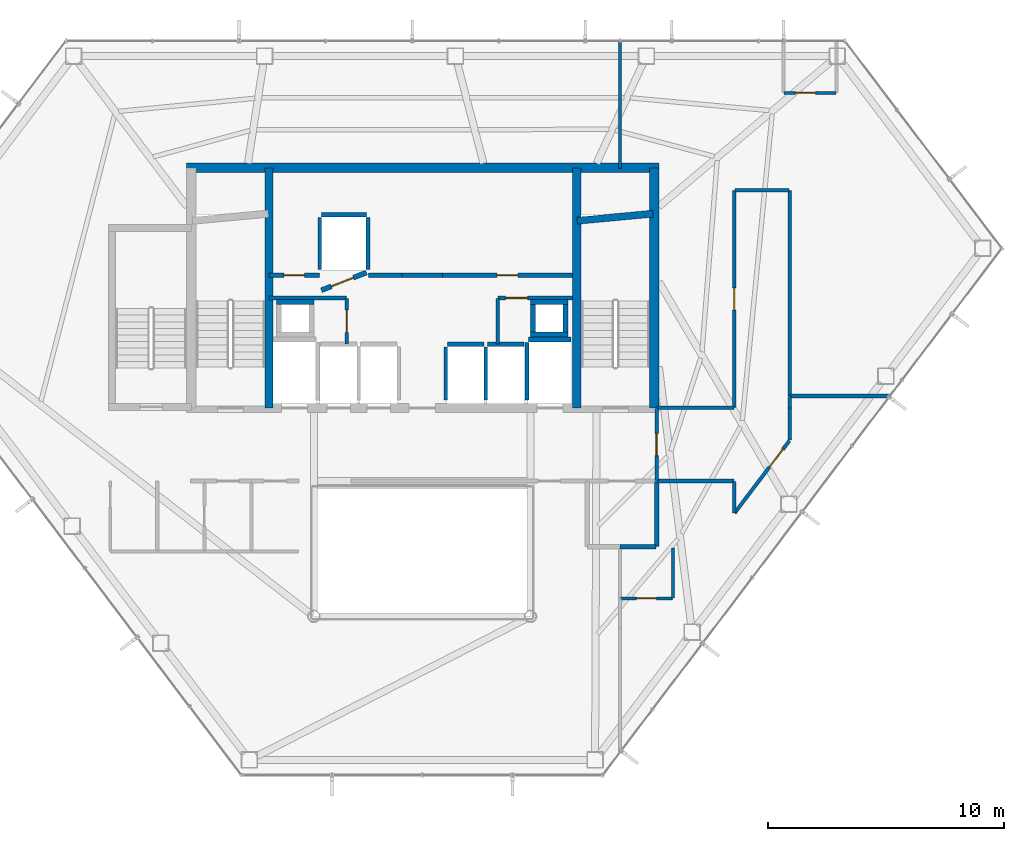
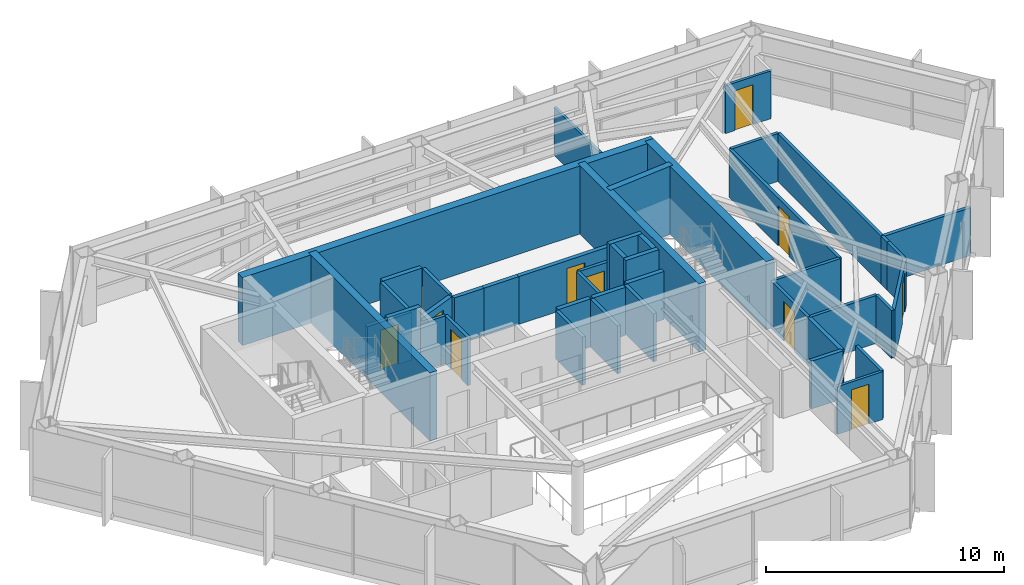
# One storey, part 26 of 28: 45 walls, 10 doors, 10 openings.
"""IFC4 building model written with IfcOpenShell, lengths in metres."""

from ifc_helpers import new_model, si_unit, direction, frame, frame_2d, origin, place, context, subcontext, project, spatial, rectangle, extrude, material, layer, layer_set, type_object, element, fill, save


model = new_model("IFC4")

# Units and contexts
model_context = context("Model", 3, precision=1e-05, world=origin(), true_north=direction((0.0, 1.0)))
body_context = subcontext(model_context, "Body", "Model", "MODEL_VIEW")
ifc_project = project(units=[si_unit("LENGTHUNIT", "METRE"), si_unit("AREAUNIT", "SQUARE_METRE"), si_unit("VOLUMEUNIT", "CUBIC_METRE"), si_unit("PLANEANGLEUNIT", "RADIAN"), si_unit("MASSUNIT", "GRAM", prefix="KILO")], contexts=[model_context])

# Site, building, storey
site_placement = place(None, origin())
site = spatial("IfcSite", under=ifc_project, at=site_placement, CompositionType="ELEMENT")
building_placement = place(site_placement, origin())
building = spatial("IfcBuilding", under=site, at=building_placement, Name="Zarrinselat Tower", CompositionType="ELEMENT")
storey_placement = place(building_placement, frame((0.0, 0.0, 168.300048828125)))
storey = spatial("IfcBuildingStorey", under=building, at=storey_placement, Name="L41", CompositionType="ELEMENT", Elevation=168.300048828125)

# Walls
ifc_material_1 = material(Name="Fire-Rated Gypsum Board Partition", Category="gypsum")
ifc_layer_1 = layer(ifc_material_1, 0.1650390625)
ifc_layer_set_1 = layer_set([ifc_layer_1], Name="Fire-Rated Gypsum Board Partition")
wall_type_1 = type_object("IfcWallType", Name="WAL-PART-DEMISE", PredefinedType="PARTITIONING", material=ifc_layer_set_1)
wall_1_placement = place(storey_placement, frame((54.02001953125, 33.752685546875, 0.0), z_axis=(0.0, 0.0, 1.0), x_axis=(1.0, 0.0, 0.0)))
element("IfcWall", 1, at=wall_1_placement, inside=storey, type_object=wall_type_1, Name="L41 Partition Wall 42", PredefinedType="PARTITIONING", context=body_context, shape_type="SweptSolid", body=[
    extrude(rectangle(XDim=4.223876953125, YDim=0.1650390625, at=frame_2d((2.11181640625, 0.0))), origin(), (0.0, 0.0, 1.0), 2.45703125),
])
ifc_material_2 = material(Name="Concrete C40/50", Category="concrete")
ifc_layer_2 = layer(ifc_material_2, 0.18994140625)
ifc_layer_set_2 = layer_set([ifc_layer_2], Name="Concrete C40/50")
wall_type_2 = type_object("IfcWallType", Name="WAL-PART-EI120", PredefinedType="PARTITIONING", material=ifc_layer_set_2)
wall_2_placement = place(storey_placement, frame((46.804931640625, 27.35009765625, 0.0), z_axis=(0.0, 0.0, 1.0), x_axis=(1.0, 0.0, 0.0)))
element("IfcWall", 2, at=wall_2_placement, inside=storey, type_object=wall_type_2, Name="L41 Partition Wall 17", PredefinedType="PARTITIONING", context=body_context, shape_type="SweptSolid", body=[
    extrude(rectangle(XDim=1.525146484375, YDim=0.18994140625, at=frame_2d((0.7626953125, 0.0))), origin(), (0.0, 0.0, 1.0), 2.45703125),
])
wall_3_placement = place(storey_placement, frame((48.35009765625, 27.3701171875, 0.0), z_axis=(0.0, 0.0, 1.0), x_axis=(0.0, 1.0, 0.0)))
element("IfcWall", 3, at=wall_3_placement, inside=storey, type_object=wall_type_2, Name="L41 Partition Wall 18", PredefinedType="PARTITIONING", context=body_context, shape_type="SweptSolid", body=[
    extrude(rectangle(XDim=2.759765625, YDim=0.18994140625, at=frame_2d((1.3798828125, 0.0))), origin(), (0.0, 0.0, 1.0), 2.45703125),
])

# Wall, opening, door
ifc_material_3 = material(Name="Fire-Rated Gypsum Board Partition", Category="gypsum")
ifc_layer_3 = layer(ifc_material_3, 0.14990234375)
ifc_layer_set_3 = layer_set([ifc_layer_3], Name="Fire-Rated Gypsum Board Partition")
wall_type_3 = type_object("IfcWallType", Name="WAL-PART-EI60", PredefinedType="PARTITIONING", material=ifc_layer_set_3)
wall_4_placement = place(storey_placement, frame((35.199951171875, 35.969970703125, 0.0), z_axis=(0.0, 0.0, 1.0), x_axis=(0.0, 1.0, 0.0)))
wall_4 = element("IfcWall", 4, at=wall_4_placement, inside=storey, type_object=wall_type_3, Name="L41 Partition Wall 1", PredefinedType="PARTITIONING", context=body_context, shape_type="SweptSolid", body=[
    extrude(rectangle(XDim=1.929931640625, YDim=0.14990234375, at=frame_2d((0.96484375, 0.0))), origin(), (0.0, 0.0, 1.0), 2.45703125),
])
opening_1_placement = place(wall_4_placement, frame((0.4951171875, 0.0, 0.0)))
opening_1 = element("IfcOpeningElement", 5, at=opening_1_placement, cuts=wall_4, Name="Opening ID-04", PredefinedType="OPENING", context=body_context, shape_type="SweptSolid", body=[
    extrude(rectangle(XDim=0.93994140625, YDim=2.050048828125, at=frame_2d((0.469970703125, 1.02490234375))), frame((0.0, 0.0849609375, 0.0), z_axis=(0.0, -1.0, 0.0), x_axis=(1.0, 0.0, 0.0)), (0.0, 0.0, 1.0), 0.169921875),
])
ifc_material_4 = material(Name="Fire-Rated Gypsum Board Partition")
door_type_1 = type_object("IfcDoorType", Name="DR-INT-FD30-ENT", OperationType="NOTDEFINED", PredefinedType="DOOR", material=ifc_material_4)
door_1_placement = place(opening_1_placement, origin())
door_1 = element("IfcDoor", 6, at=door_1_placement, inside=storey, type_object=door_type_1, Name="L41 Interior Door P1", OperationType="SINGLE_SWING_LEFT", OverallHeight=2.050048828125, OverallWidth=0.93994140625, PredefinedType="DOOR", context=body_context, shape_type="SweptSolid", body=[
    extrude(rectangle(XDim=0.93994140625, YDim=2.050048828125, at=frame_2d((0.469970703125, 1.02490234375))), frame((0.0, 0.02490234375, 0.0), z_axis=(0.0, -1.0, 0.0), x_axis=(1.0, 0.0, 0.0)), (0.0, 0.0, 1.0), 0.050048828125),
])
fill(opening_1, door_1)

# Wall
wall_5_placement = place(storey_placement, frame((31.885009765625, 37.919921875, 0.0), z_axis=(0.0, 0.0, 1.0), x_axis=(1.0, 0.0, 0.0)))
element("IfcWall", 7, at=wall_5_placement, inside=storey, type_object=wall_type_3, Name="L41 Partition Wall 2", PredefinedType="PARTITIONING", context=body_context, shape_type="SweptSolid", body=[
    extrude(rectangle(XDim=3.294921875, YDim=0.14990234375, at=frame_2d((1.6474609375, 0.0))), origin(), (0.0, 0.0, 1.0), 2.45703125),
])

# Wall, opening, door
wall_6_placement = place(storey_placement, frame((41.6201171875, 37.919921875, 0.0), z_axis=(0.0, 0.0, 1.0), x_axis=(1.0, 0.0, 0.0)))
wall_6 = element("IfcWall", 8, at=wall_6_placement, inside=storey, type_object=wall_type_3, Name="L41 Partition Wall 7", PredefinedType="PARTITIONING", context=body_context, shape_type="SweptSolid", body=[
    extrude(rectangle(XDim=3.164794921875, YDim=0.14990234375, at=frame_2d((1.58251953125, 0.0))), origin(), (0.0, 0.0, 1.0), 2.45703125),
])
opening_2_placement = place(wall_6_placement, frame((0.3125, 0.0, 0.0)))
opening_2 = element("IfcOpeningElement", 9, at=opening_2_placement, cuts=wall_6, Name="Opening ID-04", PredefinedType="OPENING", context=body_context, shape_type="SweptSolid", body=[
    extrude(rectangle(XDim=0.93994140625, YDim=2.050048828125, at=frame_2d((0.469970703125, 1.02490234375))), frame((0.0, 0.0849609375, 0.0), z_axis=(0.0, -1.0, 0.0), x_axis=(1.0, 0.0, 0.0)), (0.0, 0.0, 1.0), 0.169921875),
])
door_2_placement = place(opening_2_placement, origin())
door_2 = element("IfcDoor", 10, at=door_2_placement, inside=storey, type_object=door_type_1, Name="L41 Interior Door P7", OperationType="SINGLE_SWING_RIGHT", OverallHeight=2.050048828125, OverallWidth=0.93994140625, PredefinedType="DOOR", context=body_context, shape_type="SweptSolid", body=[
    extrude(rectangle(XDim=0.93994140625, YDim=2.050048828125, at=frame_2d((0.469970703125, 1.02490234375))), frame((0.0, 0.02490234375, 0.0), z_axis=(0.0, -1.0, 0.0), x_axis=(1.0, 0.0, 0.0)), (0.0, 0.0, 1.0), 0.050048828125),
])
fill(opening_2, door_2)

# Wall
wall_7_placement = place(storey_placement, frame((41.60009765625, 35.969970703125, 0.0), z_axis=(0.0, 0.0, 1.0), x_axis=(0.0, 1.0, 0.0)))
element("IfcWall", 11, at=wall_7_placement, inside=storey, type_object=wall_type_3, Name="L41 Partition Wall 8", PredefinedType="PARTITIONING", context=body_context, shape_type="SweptSolid", body=[
    extrude(rectangle(XDim=1.929931640625, YDim=0.14990234375, at=frame_2d((0.96484375, 0.0))), origin(), (0.0, 0.0, 1.0), 2.45703125),
])

# Wall, opening, door
wall_8_placement = place(storey_placement, frame((48.35009765625, 30.169921875, 0.0), z_axis=(0.0, 0.0, 1.0), x_axis=(0.0, 1.0, 0.0)))
wall_8 = element("IfcWall", 12, at=wall_8_placement, inside=storey, type_object=wall_type_3, Name="L41 Partition Wall 10", PredefinedType="PARTITIONING", context=body_context, shape_type="SweptSolid", body=[
    extrude(rectangle(XDim=3.06005859375, YDim=0.14990234375, at=frame_2d((1.530029296875, 0.0))), origin(), (0.0, 0.0, 1.0), 2.45703125),
])
opening_3_placement = place(wall_8_placement, frame((1.06005859375, 0.0, 0.0)))
opening_3 = element("IfcOpeningElement", 13, at=opening_3_placement, cuts=wall_8, Name="Opening ID-04", PredefinedType="OPENING", context=body_context, shape_type="SweptSolid", body=[
    extrude(rectangle(XDim=0.93994140625, YDim=2.050048828125, at=frame_2d((0.469970703125, 1.02490234375))), frame((0.0, 0.0849609375, 0.0), z_axis=(0.0, -1.0, 0.0), x_axis=(1.0, 0.0, 0.0)), (0.0, 0.0, 1.0), 0.169921875),
])
door_3_placement = place(opening_3_placement, origin())
door_3 = element("IfcDoor", 14, at=door_3_placement, inside=storey, type_object=door_type_1, Name="L41 Interior Door P10", OperationType="SINGLE_SWING_RIGHT", OverallHeight=2.050048828125, OverallWidth=0.93994140625, PredefinedType="DOOR", context=body_context, shape_type="SweptSolid", body=[
    extrude(rectangle(XDim=0.93994140625, YDim=2.050048828125, at=frame_2d((0.469970703125, 1.02490234375))), frame((0.0, 0.02490234375, 0.0), z_axis=(0.0, -1.0, 0.0), x_axis=(1.0, 0.0, 0.0)), (0.0, 0.0, 1.0), 0.050048828125),
])
fill(opening_3, door_3)

# Walls
wall_9_placement = place(storey_placement, frame((54.0, 33.25, 0.0), z_axis=(0.0, 0.0, 1.0), x_axis=(0.0, 1.0, 0.0)))
element("IfcWall", 15, at=wall_9_placement, inside=storey, type_object=wall_type_3, Name="L41 Partition Wall 19", PredefinedType="PARTITIONING", context=body_context, shape_type="SweptSolid", body=[
    extrude(rectangle(XDim=0.49755859375, YDim=0.14990234375, at=frame_2d((0.248779296875, 0.0))), origin(), (0.0, 0.0, 1.0), 2.45703125),
])
wall_10_placement = place(storey_placement, frame((54.0, 31.8935546875, 0.0), z_axis=(0.0, 0.0, 1.0), x_axis=(0.0, 1.0, 0.0)))
element("IfcWall", 16, at=wall_10_placement, inside=storey, type_object=wall_type_3, Name="L41 Partition Wall 20", PredefinedType="PARTITIONING", context=body_context, shape_type="SweptSolid", body=[
    extrude(rectangle(XDim=1.3564453125, YDim=0.14990234375, at=frame_2d((0.67822265625, 0.0))), origin(), (0.0, 0.0, 1.0), 2.45703125),
])

# Wall, opening, door
wall_11_placement = place(storey_placement, frame((51.662109375, 28.787353515625, 0.0), z_axis=(0.0, 0.0, 1.0), x_axis=(0.603806431354, 0.797130976349, 0.0)))
wall_11 = element("IfcWall", 17, at=wall_11_placement, inside=storey, type_object=wall_type_3, Name="L41 Partition Wall 21", PredefinedType="PARTITIONING", context=body_context, shape_type="SweptSolid", body=[
    extrude(rectangle(XDim=3.851806640625, YDim=0.14990234375, at=frame_2d((1.92578125, 0.0))), origin(), (0.0, 0.0, 1.0), 2.45703125),
])
opening_4_placement = place(wall_11_placement, frame((2.455810546875, 0.0, 0.0)))
opening_4 = element("IfcOpeningElement", 18, at=opening_4_placement, cuts=wall_11, Name="Opening ID-04", PredefinedType="OPENING", context=body_context, shape_type="SweptSolid", body=[
    extrude(rectangle(XDim=0.93994140625, YDim=2.050048828125, at=frame_2d((0.469970703125, 1.02490234375))), frame((0.0, 0.0849609375, 0.0), z_axis=(0.0, -1.0, 0.0), x_axis=(1.0, 0.0, 0.0)), (0.0, 0.0, 1.0), 0.169921875),
])
door_4_placement = place(opening_4_placement, origin())
door_4 = element("IfcDoor", 19, at=door_4_placement, inside=storey, type_object=door_type_1, Name="L41 Interior Door P21", OperationType="SINGLE_SWING_RIGHT", OverallHeight=2.050048828125, OverallWidth=0.93994140625, PredefinedType="DOOR", context=body_context, shape_type="SweptSolid", body=[
    extrude(rectangle(XDim=0.93994140625, YDim=2.050048828125, at=frame_2d((0.469970703125, 1.02490234375))), frame((0.0, 0.02490234375, 0.0), z_axis=(0.0, -1.0, 0.0), x_axis=(1.0, 0.0, 0.0)), (0.0, 0.0, 1.0), 0.050048828125),
])
fill(opening_4, door_4)

# Walls
wall_12_placement = place(storey_placement, frame((51.64990234375, 28.79150390625, 0.0), z_axis=(0.0, 0.0, 1.0), x_axis=(0.0, 1.0, 0.0)))
element("IfcWall", 20, at=wall_12_placement, inside=storey, type_object=wall_type_3, Name="L41 Partition Wall 22", PredefinedType="PARTITIONING", context=body_context, shape_type="SweptSolid", body=[
    extrude(rectangle(XDim=1.33837890625, YDim=0.14990234375, at=frame_2d((0.669189453125, 0.0))), origin(), (0.0, 0.0, 1.0), 2.45703125),
])
wall_13_placement = place(storey_placement, frame((48.3701171875, 30.14990234375, 0.0), z_axis=(0.0, 0.0, 1.0), x_axis=(1.0, 0.0, 0.0)))
element("IfcWall", 21, at=wall_13_placement, inside=storey, type_object=wall_type_3, Name="L41 Partition Wall 23", PredefinedType="PARTITIONING", context=body_context, shape_type="SweptSolid", body=[
    extrude(rectangle(XDim=3.259765625, YDim=0.14990234375, at=frame_2d((1.6298828125, 0.0))), origin(), (0.0, 0.0, 1.0), 2.45703125),
])
wall_14_placement = place(storey_placement, frame((48.364990234375, 33.25, 0.0), z_axis=(0.0, 0.0, 1.0), x_axis=(1.0, 0.0, 0.0)))
element("IfcWall", 22, at=wall_14_placement, inside=storey, type_object=wall_type_3, Name="L41 Partition Wall 24", PredefinedType="PARTITIONING", context=body_context, shape_type="SweptSolid", body=[
    extrude(rectangle(XDim=3.264892578125, YDim=0.14990234375, at=frame_2d((1.63232421875, 0.0))), origin(), (0.0, 0.0, 1.0), 2.45703125),
])

# Wall, opening, door
wall_15_placement = place(storey_placement, frame((51.64990234375, 33.27001953125, 0.0), z_axis=(0.0, 0.0, 1.0), x_axis=(0.0, 1.0, 0.0)))
wall_15 = element("IfcWall", 23, at=wall_15_placement, inside=storey, type_object=wall_type_3, Name="L41 Partition Wall 25", PredefinedType="PARTITIONING", context=body_context, shape_type="SweptSolid", body=[
    extrude(rectangle(XDim=9.2099609375, YDim=0.14990234375, at=frame_2d((4.60498046875, 0.0))), origin(), (0.0, 0.0, 1.0), 2.45703125),
])
opening_5_placement = place(wall_15_placement, frame((4.135009765625, 0.0, 0.0)))
opening_5 = element("IfcOpeningElement", 24, at=opening_5_placement, cuts=wall_15, Name="Opening ID-04", PredefinedType="OPENING", context=body_context, shape_type="SweptSolid", body=[
    extrude(rectangle(XDim=0.93994140625, YDim=2.050048828125, at=frame_2d((0.469970703125, 1.02490234375))), frame((0.0, 0.0849609375, 0.0), z_axis=(0.0, -1.0, 0.0), x_axis=(1.0, 0.0, 0.0)), (0.0, 0.0, 1.0), 0.169921875),
])
door_5_placement = place(opening_5_placement, origin())
door_5 = element("IfcDoor", 25, at=door_5_placement, inside=storey, type_object=door_type_1, Name="L41 Interior Door P25", OperationType="SINGLE_SWING_LEFT", OverallHeight=2.050048828125, OverallWidth=0.93994140625, PredefinedType="DOOR", context=body_context, shape_type="SweptSolid", body=[
    extrude(rectangle(XDim=0.93994140625, YDim=2.050048828125, at=frame_2d((0.469970703125, 1.02490234375))), frame((0.0, 0.02490234375, 0.0), z_axis=(0.0, -1.0, 0.0), x_axis=(1.0, 0.0, 0.0)), (0.0, 0.0, 1.0), 0.050048828125),
])
fill(opening_5, door_5)

# Walls
wall_16_placement = place(storey_placement, frame((51.669921875, 42.5, 0.0), z_axis=(0.0, 0.0, 1.0), x_axis=(1.0, 0.0, 0.0)))
element("IfcWall", 26, at=wall_16_placement, inside=storey, type_object=wall_type_3, Name="L41 Partition Wall 26", PredefinedType="PARTITIONING", context=body_context, shape_type="SweptSolid", body=[
    extrude(rectangle(XDim=2.31005859375, YDim=0.14990234375, at=frame_2d((1.155029296875, 0.0))), origin(), (0.0, 0.0, 1.0), 2.45703125),
])
wall_17_placement = place(storey_placement, frame((54.0, 33.757568359375, 0.0), z_axis=(0.0, 0.0, 1.0), x_axis=(0.0, 1.0, 0.0)))
element("IfcWall", 27, at=wall_17_placement, inside=storey, type_object=wall_type_3, Name="L41 Partition Wall 27", PredefinedType="PARTITIONING", context=body_context, shape_type="SweptSolid", body=[
    extrude(rectangle(XDim=8.722412109375, YDim=0.14990234375, at=frame_2d((4.361328125, 0.0))), origin(), (0.0, 0.0, 1.0), 2.45703125),
])

# Wall, opening, door
ifc_material_5 = material(Name="Concrete C40/50", Category="concrete")
ifc_layer_4 = layer(ifc_material_5, 0.199951171875)
ifc_layer_set_4 = layer_set([ifc_layer_4], Name="Concrete C40/50")
wall_type_4 = type_object("IfcWallType", Name="WAL-PART-PLANT", PredefinedType="PARTITIONING", material=ifc_layer_set_4)
wall_18_placement = place(storey_placement, frame((31.885009765625, 38.889892578125, 0.0), z_axis=(0.0, 0.0, 1.0), x_axis=(1.0, 0.0, 0.0)))
wall_18 = element("IfcWall", 28, at=wall_18_placement, inside=storey, type_object=wall_type_4, Name="L41 Partition Wall 3", PredefinedType="PARTITIONING", context=body_context, shape_type="SweptSolid", body=[
    extrude(rectangle(XDim=2.14990234375, YDim=0.199951171875, at=frame_2d((1.074951171875, 0.0))), origin(), (0.0, 0.0, 1.0), 2.45703125),
])
opening_6_placement = place(wall_18_placement, frame((0.635009765625, 0.0, 0.0)))
opening_6 = element("IfcOpeningElement", 29, at=opening_6_placement, cuts=wall_18, Name="Opening ID-03", PredefinedType="OPENING", context=body_context, shape_type="SweptSolid", body=[
    extrude(rectangle(XDim=0.8798828125, YDim=2.050048828125, at=frame_2d((0.43994140625, 1.02490234375))), frame((0.0, 0.10986328125, 0.0), z_axis=(0.0, -1.0, 0.0), x_axis=(1.0, 0.0, 0.0)), (0.0, 0.0, 1.0), 0.219970703125),
])
ifc_material_6 = material(Name="Steel S355J2", Category="steel")
door_type_2 = type_object("IfcDoorType", Name="DR-INT-FD60-S", OperationType="NOTDEFINED", PredefinedType="DOOR", material=ifc_material_6)
door_6_placement = place(opening_6_placement, origin())
door_6 = element("IfcDoor", 30, at=door_6_placement, inside=storey, type_object=door_type_2, Name="L41 Interior Door P3", OperationType="SINGLE_SWING_RIGHT", OverallHeight=2.050048828125, OverallWidth=0.8798828125, PredefinedType="DOOR", context=body_context, shape_type="SweptSolid", body=[
    extrude(rectangle(XDim=0.8798828125, YDim=2.050048828125, at=frame_2d((0.43994140625, 1.02490234375))), frame((0.0, 0.02490234375, 0.0), z_axis=(0.0, -1.0, 0.0), x_axis=(1.0, 0.0, 0.0)), (0.0, 0.0, 1.0), 0.050048828125),
])
fill(opening_6, door_6)

# Walls
wall_19_placement = place(storey_placement, frame((36.114990234375, 38.889892578125, 0.0), z_axis=(0.0, 0.0, 1.0), x_axis=(1.0, 0.0, 0.0)))
element("IfcWall", 31, at=wall_19_placement, inside=storey, type_object=wall_type_4, Name="L41 Partition Wall 4", PredefinedType="PARTITIONING", context=body_context, shape_type="SweptSolid", body=[
    extrude(rectangle(XDim=1.43505859375, YDim=0.199951171875, at=frame_2d((0.717529296875, 0.0))), origin(), (0.0, 0.0, 1.0), 2.45703125),
])
wall_20_placement = place(storey_placement, frame((37.550048828125, 38.889892578125, 0.0), z_axis=(0.0, 0.0, 1.0), x_axis=(1.0, 0.0, 0.0)))
element("IfcWall", 32, at=wall_20_placement, inside=storey, type_object=wall_type_4, Name="L41 Partition Wall 5", PredefinedType="PARTITIONING", context=body_context, shape_type="SweptSolid", body=[
    extrude(rectangle(XDim=1.699951171875, YDim=0.199951171875, at=frame_2d((0.85009765625, 0.0))), origin(), (0.0, 0.0, 1.0), 2.45703125),
])

# Wall, opening, door
wall_21_placement = place(storey_placement, frame((39.25, 38.889892578125, 0.0), z_axis=(0.0, 0.0, 1.0), x_axis=(1.0, 0.0, 0.0)))
wall_21 = element("IfcWall", 33, at=wall_21_placement, inside=storey, type_object=wall_type_4, Name="L41 Partition Wall 6", PredefinedType="PARTITIONING", context=body_context, shape_type="SweptSolid", body=[
    extrude(rectangle(XDim=5.534912109375, YDim=0.199951171875, at=frame_2d((2.767578125, 0.0))), origin(), (0.0, 0.0, 1.0), 2.45703125),
])
opening_7_placement = place(wall_21_placement, frame((2.327392578125, 0.0, 0.0)))
opening_7 = element("IfcOpeningElement", 34, at=opening_7_placement, cuts=wall_21, Name="Opening ID-03", PredefinedType="OPENING", context=body_context, shape_type="SweptSolid", body=[
    extrude(rectangle(XDim=0.8798828125, YDim=2.050048828125, at=frame_2d((0.43994140625, 1.02490234375))), frame((0.0, 0.10986328125, 0.0), z_axis=(0.0, -1.0, 0.0), x_axis=(1.0, 0.0, 0.0)), (0.0, 0.0, 1.0), 0.219970703125),
])
door_7_placement = place(opening_7_placement, origin())
door_7 = element("IfcDoor", 35, at=door_7_placement, inside=storey, type_object=door_type_2, Name="L41 Interior Door P6", OperationType="SINGLE_SWING_LEFT", OverallHeight=2.050048828125, OverallWidth=0.8798828125, PredefinedType="DOOR", context=body_context, shape_type="SweptSolid", body=[
    extrude(rectangle(XDim=0.8798828125, YDim=2.050048828125, at=frame_2d((0.43994140625, 1.02490234375))), frame((0.0, 0.02490234375, 0.0), z_axis=(0.0, -1.0, 0.0), x_axis=(1.0, 0.0, 0.0)), (0.0, 0.0, 1.0), 0.050048828125),
])
fill(opening_7, door_7)

# Walls
ifc_material_7 = material(Name="Fire-Rated Gypsum Board Partition", Category="gypsum")
ifc_layer_5 = layer(ifc_material_7, 0.1201171875)
ifc_layer_set_5 = layer_set([ifc_layer_5], Name="Fire-Rated Gypsum Board Partition")
wall_type_5 = type_object("IfcWallType", Name="WAL-PART-STD", PredefinedType="PARTITIONING", material=ifc_layer_set_5)
wall_22_placement = place(storey_placement, frame((46.800048828125, 43.4150390625, 0.0), z_axis=(0.0, 0.0, 1.0), x_axis=(0.0, 1.0, 0.0)))
element("IfcWall", 36, at=wall_22_placement, inside=storey, type_object=wall_type_5, Name="L41 Partition Wall 39", PredefinedType="PARTITIONING", context=body_context, shape_type="SweptSolid", body=[
    extrude(rectangle(XDim=5.408935546875, YDim=0.1201171875, at=frame_2d((2.70458984375, 0.0))), origin(), (0.0, 0.0, 1.0), 2.45703125),
])
ifc_material_8 = material(Name="Fire-Rated Gypsum Board Partition", Category="gypsum")
ifc_layer_6 = layer(ifc_material_8, 0.135009765625)
ifc_layer_set_6 = layer_set([ifc_layer_6], Name="Fire-Rated Gypsum Board Partition")
wall_type_6 = type_object("IfcWallType", Name="WAL-PART-WET", PredefinedType="PARTITIONING", material=ifc_layer_set_6)
wall_23_placement = place(storey_placement, frame((49.050048828125, 25.184326171875, 0.0), z_axis=(0.0, 0.0, 1.0), x_axis=(0.0, 1.0, 0.0)))
element("IfcWall", 37, at=wall_23_placement, inside=storey, type_object=wall_type_6, Name="L41 Partition Wall 40", PredefinedType="PARTITIONING", context=body_context, shape_type="SweptSolid", body=[
    extrude(rectangle(XDim=2.130126953125, YDim=0.135009765625, at=frame_2d((1.06494140625, 0.0))), origin(), (0.0, 0.0, 1.0), 2.45703125),
])

# Wall, opening, door
wall_24_placement = place(storey_placement, frame((46.820068359375, 25.164306640625, 0.0), z_axis=(0.0, 0.0, 1.0), x_axis=(1.0, 0.0, 0.0)))
wall_24 = element("IfcWall", 38, at=wall_24_placement, inside=storey, type_object=wall_type_6, Name="L41 Partition Wall 41", PredefinedType="PARTITIONING", context=body_context, shape_type="SweptSolid", body=[
    extrude(rectangle(XDim=2.2099609375, YDim=0.135009765625, at=frame_2d((1.10498046875, 0.0))), origin(), (0.0, 0.0, 1.0), 2.45703125),
])
opening_8_placement = place(wall_24_placement, frame((0.675048828125, 0.0, 0.0)))
opening_8 = element("IfcOpeningElement", 39, at=opening_8_placement, cuts=wall_24, Name="Opening ID-06", PredefinedType="OPENING", context=body_context, shape_type="SweptSolid", body=[
    extrude(rectangle(XDim=0.860107421875, YDim=2.050048828125, at=frame_2d((0.43017578125, 1.02490234375))), frame((0.0, 0.077392578125, 0.0), z_axis=(0.0, -1.0, 0.0), x_axis=(1.0, 0.0, 0.0)), (0.0, 0.0, 1.0), 0.155029296875),
])
ifc_material_9 = material(Name="Extruded Aluminium Alloy EN AW-6063 T6", Category="aluminium")
door_type_3 = type_object("IfcDoorType", Name="DR-INT-WET-900", OperationType="NOTDEFINED", PredefinedType="DOOR", material=ifc_material_9)
door_8_placement = place(opening_8_placement, origin())
door_8 = element("IfcDoor", 40, at=door_8_placement, inside=storey, type_object=door_type_3, Name="L41 Interior Door P41", OperationType="SINGLE_SWING_RIGHT", OverallHeight=2.050048828125, OverallWidth=0.860107421875, PredefinedType="DOOR", context=body_context, shape_type="SweptSolid", body=[
    extrude(rectangle(XDim=0.860107421875, YDim=2.050048828125, at=frame_2d((0.43017578125, 1.02490234375))), frame((0.0, 0.02490234375, 0.0), z_axis=(0.0, -1.0, 0.0), x_axis=(1.0, 0.0, 0.0)), (0.0, 0.0, 1.0), 0.050048828125),
])
fill(opening_8, door_8)

wall_25_placement = place(storey_placement, frame((53.76611328125, 46.62890625, 0.0), z_axis=(0.0, 0.0, 1.0), x_axis=(1.0, 0.0, 0.0)))
wall_25 = element("IfcWall", 41, at=wall_25_placement, inside=storey, type_object=wall_type_6, Name="L41 Partition Wall 44", PredefinedType="PARTITIONING", context=body_context, shape_type="SweptSolid", body=[
    extrude(rectangle(XDim=2.2099609375, YDim=0.135009765625, at=frame_2d((1.10498046875, 0.0))), origin(), (0.0, 0.0, 1.0), 2.45703125),
])
opening_9_placement = place(wall_25_placement, frame((0.47509765625, 0.0, 0.0)))
opening_9 = element("IfcOpeningElement", 42, at=opening_9_placement, cuts=wall_25, Name="Opening ID-06", PredefinedType="OPENING", context=body_context, shape_type="SweptSolid", body=[
    extrude(rectangle(XDim=0.860107421875, YDim=2.050048828125, at=frame_2d((0.43017578125, 1.02490234375))), frame((0.0, 0.077392578125, 0.0), z_axis=(0.0, -1.0, 0.0), x_axis=(1.0, 0.0, 0.0)), (0.0, 0.0, 1.0), 0.155029296875),
])
door_9_placement = place(opening_9_placement, origin())
door_9 = element("IfcDoor", 43, at=door_9_placement, inside=storey, type_object=door_type_3, Name="L41 Interior Door P44", OperationType="SINGLE_SWING_LEFT", OverallHeight=2.050048828125, OverallWidth=0.860107421875, PredefinedType="DOOR", context=body_context, shape_type="SweptSolid", body=[
    extrude(rectangle(XDim=0.860107421875, YDim=2.050048828125, at=frame_2d((0.43017578125, 1.02490234375))), frame((0.0, 0.02490234375, 0.0), z_axis=(0.0, -1.0, 0.0), x_axis=(1.0, 0.0, 0.0)), (0.0, 0.0, 1.0), 0.050048828125),
])
fill(opening_9, door_9)

# Walls
ifc_material_10 = material(Name="Concrete C40/50", Category="concrete")
ifc_layer_7 = layer(ifc_material_10, 0.2099609375)
ifc_layer_set_7 = layer_set([ifc_layer_7], Name="Concrete C40/50")
wall_type_7 = type_object("IfcWallType", Name="WAL-SHAFT-210", PredefinedType="SOLIDWALL", material=ifc_layer_set_7)
wall_26_placement = place(storey_placement, frame((42.919921875, 36.155029296875, 0.0), z_axis=(0.0, 0.0, 1.0), x_axis=(1.0, 0.0, 0.0)))
element("IfcWall", 44, at=wall_26_placement, inside=storey, type_object=wall_type_7, Name="L41 Lift FFL2 North Shaft Wall", PredefinedType="SOLIDWALL", context=body_context, shape_type="SweptSolid", body=[
    extrude(rectangle(XDim=1.800048828125, YDim=0.2099609375, at=frame_2d((0.89990234375, 0.0))), origin(), (0.0, 0.0, 1.0), 2.471923828125),
])
wall_27_placement = place(storey_placement, frame((42.85009765625, 33.580078125, 0.0), z_axis=(0.0, 0.0, 1.0), x_axis=(0.0, 1.0, 0.0)))
element("IfcWall", 45, at=wall_27_placement, inside=storey, type_object=wall_type_7, Name="L41 Lift FFL2 W Shaft Wall", PredefinedType="SOLIDWALL", context=body_context, shape_type="SweptSolid", body=[
    extrude(rectangle(XDim=2.449951171875, YDim=0.159912109375, at=frame_2d((1.22509765625, 0.0))), origin(), (0.0, 0.0, 1.0), 2.471923828125),
])

# Wall, opening, door
wall_28_placement = place(storey_placement, frame((34.1201171875, 38.25, 0.0), z_axis=(0.0, 0.0, 1.0), x_axis=(0.930804993012, 0.36551616241, 0.0)))
wall_28 = element("IfcWall", 46, at=wall_28_placement, inside=storey, type_object=wall_type_7, Name="L41 Lift PL7 Front Shaft Wall", PredefinedType="SOLIDWALL", context=body_context, shape_type="SweptSolid", body=[
    extrude(rectangle(XDim=2.052001953125, YDim=0.2099609375, at=frame_2d((1.02587890625, 0.0))), origin(), (0.0, 0.0, 1.0), 2.471923828125),
])
opening_10_placement = place(wall_28_placement, frame((0.455078125, 0.0, 0.0)))
opening_10 = element("IfcOpeningElement", 47, at=opening_10_placement, cuts=wall_28, Name="Opening LD-PL7", PredefinedType="OPENING", context=body_context, shape_type="SweptSolid", body=[
    extrude(rectangle(XDim=1.0, YDim=2.10009765625, at=frame_2d((0.5, 1.050048828125))), frame((0.0, 0.114990234375, 0.0), z_axis=(0.0, -1.0, 0.0), x_axis=(1.0, 0.0, 0.0)), (0.0, 0.0, 1.0), 0.22998046875),
])
ifc_material_11 = material(Name="Steel S355J2", Category="steel")
door_type_4 = type_object("IfcDoorType", Name="DR-LIFT-PS-1000", OperationType="NOTDEFINED", PredefinedType="DOOR", material=ifc_material_11)
door_10_placement = place(opening_10_placement, origin())
door_10 = element("IfcDoor", 48, at=door_10_placement, inside=storey, type_object=door_type_4, Name="L41 Lift PL7 Sliding Landing Door", OperationType="SLIDING_TO_LEFT", OverallHeight=2.10009765625, OverallWidth=1.0, PredefinedType="DOOR", context=body_context, shape_type="SweptSolid", body=[
    extrude(rectangle(XDim=1.0, YDim=2.10009765625, at=frame_2d((0.5, 1.050048828125))), frame((0.0, 0.02490234375, 0.0), z_axis=(0.0, -1.0, 0.0), x_axis=(1.0, 0.0, 0.0)), (0.0, 0.0, 1.0), 0.050048828125),
])
fill(opening_10, door_10)

# Walls
wall_29_placement = place(storey_placement, frame((34.1201171875, 41.455078125, 0.0), z_axis=(0.0, 0.0, 1.0), x_axis=(1.0, 0.0, 0.0)))
element("IfcWall", 49, at=wall_29_placement, inside=storey, type_object=wall_type_7, Name="L41 Lift PL7 Rear Shaft Wall", PredefinedType="SOLIDWALL", context=body_context, shape_type="SweptSolid", body=[
    extrude(rectangle(XDim=1.909912109375, YDim=0.2099609375, at=frame_2d((0.955078125, 0.0))), origin(), (0.0, 0.0, 1.0), 2.471923828125),
])
for number, where, z_axis, x_axis, name in (
    (50, (34.050048828125, 39.1201171875, 0.0), (0.0, 0.0, 1.0), (0.0, 1.0, 0.0), "L41 Lift PL7 W Shaft Wall"),
    (51, (36.10009765625, 39.1201171875, 0.0), (0.0, 0.0, 1.0), (0.0, 1.0, 0.0), "L41 Lift PL7 E Shaft Wall"),
):
    element("IfcWall", number, at=place(storey_placement, frame(where, z_axis=z_axis, x_axis=x_axis)), inside=storey, type_object=wall_type_7, Name=name, PredefinedType="SOLIDWALL", context=body_context, shape_type="SweptSolid", body=[
        extrude(rectangle(XDim=2.2099609375, YDim=0.159912109375, at=frame_2d((1.10498046875, 0.0))), origin(), (0.0, 0.0, 1.0), 2.471923828125),
    ])
wall_30_placement = place(storey_placement, frame((39.469970703125, 35.955078125, 0.0), z_axis=(0.0, 0.0, 1.0), x_axis=(1.0, 0.0, 0.0)))
element("IfcWall", 52, at=wall_30_placement, inside=storey, type_object=wall_type_7, Name="L41 Lift PL8 North Shaft Wall", PredefinedType="SOLIDWALL", context=body_context, shape_type="SweptSolid", body=[
    extrude(rectangle(XDim=1.56005859375, YDim=0.2099609375, at=frame_2d((0.780029296875, 0.0))), origin(), (0.0, 0.0, 1.0), 2.471923828125),
])
for number, where, z_axis, x_axis, name in (
    (53, (39.39990234375, 33.580078125, 0.0), (0.0, 0.0, 1.0), (0.0, 1.0, 0.0), "L41 Lift PL8 W Shaft Wall"),
    (54, (41.10009765625, 33.580078125, 0.0), (0.0, 0.0, 1.0), (0.0, 1.0, 0.0), "L41 Lift PL8 E Shaft Wall"),
):
    element("IfcWall", number, at=place(storey_placement, frame(where, z_axis=z_axis, x_axis=x_axis)), inside=storey, type_object=wall_type_7, Name=name, PredefinedType="SOLIDWALL", context=body_context, shape_type="SweptSolid", body=[
        extrude(rectangle(XDim=2.25, YDim=0.159912109375, at=frame_2d((1.125, 0.0))), origin(), (0.0, 0.0, 1.0), 2.471923828125),
    ])
wall_31_placement = place(storey_placement, frame((41.169921875, 35.955078125, 0.0), z_axis=(0.0, 0.0, 1.0), x_axis=(1.0, 0.0, 0.0)))
element("IfcWall", 55, at=wall_31_placement, inside=storey, type_object=wall_type_7, Name="L41 Lift PL9 North Shaft Wall", PredefinedType="SOLIDWALL", context=body_context, shape_type="SweptSolid", body=[
    extrude(rectangle(XDim=1.56005859375, YDim=0.2099609375, at=frame_2d((0.780029296875, 0.0))), origin(), (0.0, 0.0, 1.0), 2.471923828125),
])
for number, where, z_axis, x_axis, name in (
    (56, (32.2099609375, 37.7451171875, 0.0), (0.0, 0.0, 1.0), (1.0, 0.0, 0.0), "L41 Core Riser RSR-W N Shaft Wall"),
    (57, (42.989990234375, 36.375, 0.0), (0.0, 0.0, 1.0), (1.0, 0.0, 0.0), "L41 Core Riser RSR-E S Shaft Wall"),
    (58, (42.989990234375, 37.7451171875, 0.0), (0.0, 0.0, 1.0), (1.0, 0.0, 0.0), "L41 Core Riser RSR-E N Shaft Wall"),
):
    element("IfcWall", number, at=place(storey_placement, frame(where, z_axis=z_axis, x_axis=x_axis)), inside=storey, type_object=wall_type_7, Name=name, PredefinedType="SOLIDWALL", context=body_context, shape_type="SweptSolid", body=[
        extrude(rectangle(XDim=1.60009765625, YDim=0.2099609375, at=frame_2d((0.800048828125, 0.0))), origin(), (0.0, 0.0, 1.0), 3.5),
    ])
for number, where, z_axis, x_axis, name in (
    (59, (43.094970703125, 36.485107421875, 0.0), (0.0, 0.0, 1.0), (0.0, 1.0, 0.0), "L41 Core Riser RSR-E W Shaft Wall"),
    (60, (44.485107421875, 36.485107421875, 0.0), (0.0, 0.0, 1.0), (0.0, 1.0, 0.0), "L41 Core Riser RSR-E E Shaft Wall"),
):
    element("IfcWall", number, at=place(storey_placement, frame(where, z_axis=z_axis, x_axis=x_axis)), inside=storey, type_object=wall_type_7, Name=name, PredefinedType="SOLIDWALL", context=body_context, shape_type="SweptSolid", body=[
        extrude(rectangle(XDim=1.14990234375, YDim=0.2099609375, at=frame_2d((0.574951171875, 0.0))), origin(), (0.0, 0.0, 1.0), 3.5),
    ])
ifc_material_12 = material(Name="Concrete C40/50", Category="concrete")
ifc_layer_8 = layer(ifc_material_12, 0.300048828125)
ifc_layer_set_8 = layer_set([ifc_layer_8], Name="Concrete C40/50")
wall_type_8 = type_object("IfcWallType", Name="WAL-SHEAR-300", PredefinedType="SHEAR", material=ifc_layer_set_8)
wall_32_placement = place(storey_placement, frame((44.97998046875, 41.199951171875, 0.0), z_axis=(0.0, 0.0, 1.0), x_axis=(0.995686468965, 0.09278176286, 0.0)))
element("IfcWall", 61, at=wall_32_placement, inside=storey, type_object=wall_type_8, Name="L41 Stair 2 North Shaft Wall", PredefinedType="SHEAR", context=body_context, shape_type="SweptSolid", body=[
    extrude(rectangle(XDim=3.23388671875, YDim=0.300048828125, at=frame_2d((1.616943359375, 0.0))), origin(), (0.0, 0.0, 1.0), 3.5),
])
ifc_material_13 = material(Name="Concrete C50/60", Category="concrete")
ifc_layer_9 = layer(ifc_material_13, 0.35009765625)
ifc_layer_set_9 = layer_set([ifc_layer_9], Name="Concrete C50/60")
wall_type_9 = type_object("IfcWallType", Name="WAL-SHEAR-350", PredefinedType="SHEAR", material=ifc_layer_set_9)
for number, where, z_axis, x_axis, name in (
    (62, (31.89501953125, 33.25, 0.0), (0.0, 0.0, 1.0), (0.0, 1.0, 0.0), "L41 Core Shear Wall ST1E"),
    (63, (44.965087890625, 33.25, 0.0), (0.0, 0.0, 1.0), (0.0, 1.0, 0.0), "L41 Core Shear Wall ST2W"),
):
    element("IfcWall", number, at=place(storey_placement, frame(where, z_axis=z_axis, x_axis=x_axis)), inside=storey, type_object=wall_type_9, Name=name, PredefinedType="SHEAR", context=body_context, shape_type="SweptSolid", body=[
        extrude(rectangle(XDim=10.199951171875, YDim=0.35009765625, at=frame_2d((5.10009765625, 0.0))), origin(), (0.0, 0.0, 1.0), 3.5),
    ])
ifc_material_14 = material(Name="Concrete C60/75", Category="concrete")
ifc_layer_10 = layer(ifc_material_14, 0.39990234375)
ifc_layer_set_10 = layer_set([ifc_layer_10], Name="Concrete C60/75")
wall_type_10 = type_object("IfcWallType", Name="WAL-SHEAR-400", PredefinedType="SHEAR", material=ifc_layer_set_10)
wall_33_placement = place(storey_placement, frame((28.39990234375, 43.449951171875, 0.0), z_axis=(0.0, 0.0, 1.0), x_axis=(1.0, 0.0, 0.0)))
element("IfcWall", 64, at=wall_33_placement, inside=storey, type_object=wall_type_10, Name="L41 North Core Shear Wall", PredefinedType="SHEAR", context=body_context, shape_type="SweptSolid", body=[
    extrude(rectangle(XDim=20.06005859375, YDim=0.39990234375, at=frame_2d((10.030029296875, 0.0))), origin(), (0.0, 0.0, 1.0), 3.5),
])
wall_34_placement = place(storey_placement, frame((48.260009765625, 33.25, 0.0), z_axis=(0.0, 0.0, 1.0), x_axis=(0.0, 1.0, 0.0)))
element("IfcWall", 65, at=wall_34_placement, inside=storey, type_object=wall_type_10, Name="L41 Core Shear Wall E", PredefinedType="SHEAR", context=body_context, shape_type="SweptSolid", body=[
    extrude(rectangle(XDim=10.199951171875, YDim=0.39990234375, at=frame_2d((5.10009765625, 0.0))), origin(), (0.0, 0.0, 1.0), 3.5),
])

save(model, "model.ifc")
